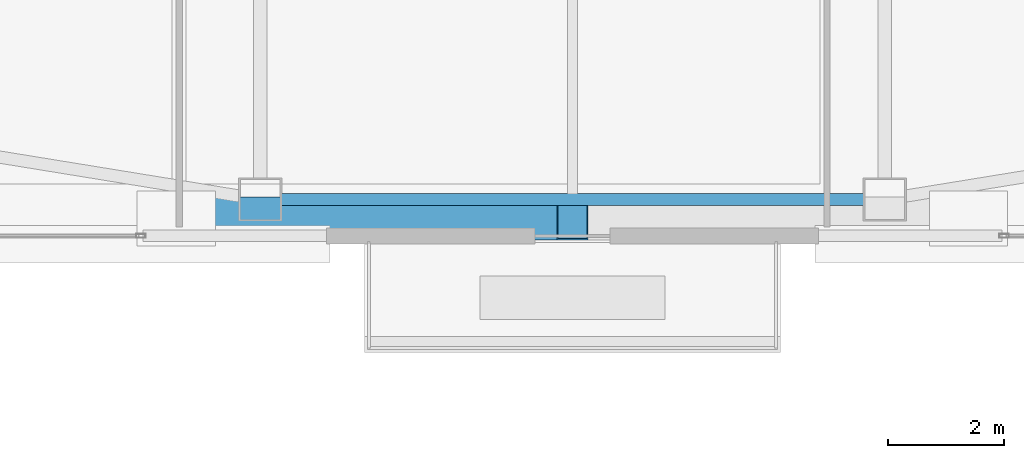
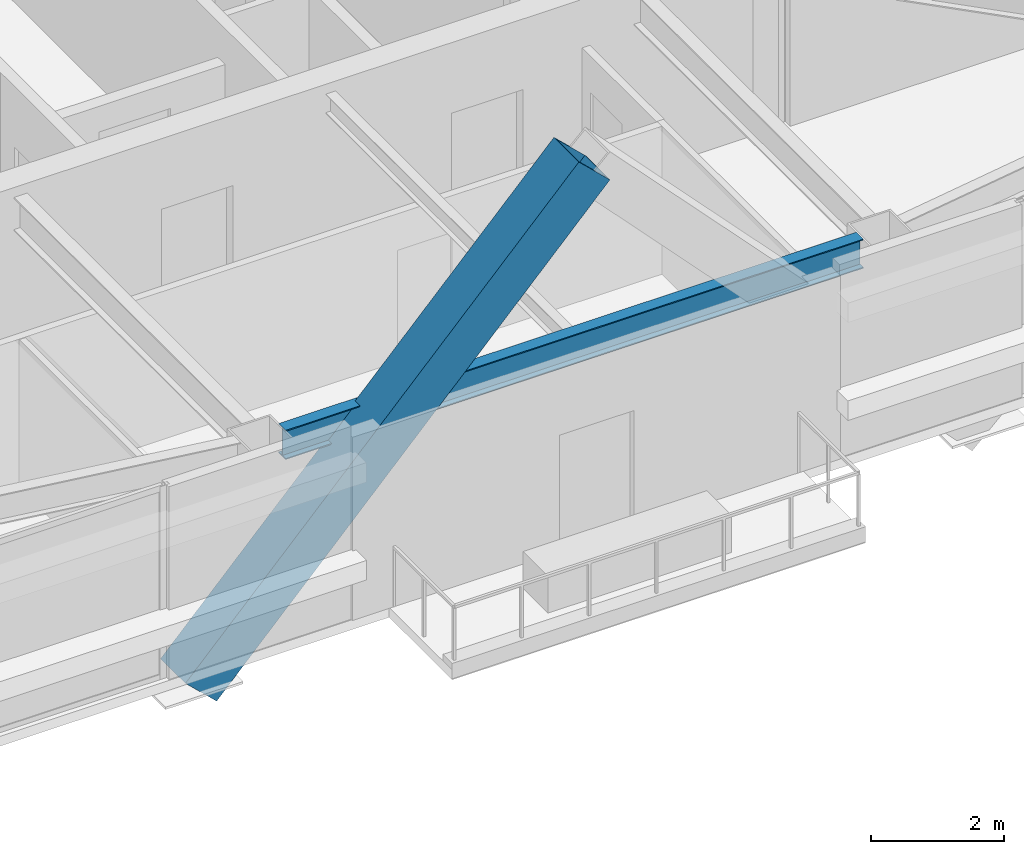
# One storey, part 4 of 39: 1 beam, 1 member.
"""IFC4 building model written with IfcOpenShell, lengths in metres."""

import ifcopenshell
import ifcopenshell.guid

model = None  # the IFC model being written
_history = None  # IfcOwnerHistory: only IFC2X3 demands one
_inside = {}  # id of a spatial element -> (the spatial element, [elements in it])
_under = {}  # id of a project, library or spatial element -> (it, [spatial elements below it])
_declared = {}  # id of a project -> (the project, [libraries it declares])
_typed = {}  # id of a type object -> (the type object, [elements of that type])
_made_of = {}  # id of a material, layer set ... -> (it, [elements and type objects made of it])


def new_model(schema):
    """Start an empty IFC model of exactly this schema.

    Asked for "IFC4X3", IfcOpenShell would pick the latest addendum, in which some entities
    have other attributes; the version numbers below select the first issue.
    IFC2X3 requires an IfcOwnerHistory on every rooted entity: one is made here for all.
    """
    global model, _history
    if schema == "IFC4X3":
        model = ifcopenshell.file(schema_version=(4, 3, 0, 0))
    else:
        model = ifcopenshell.file(schema=schema)
    _inside.clear()
    _under.clear()
    _declared.clear()
    _typed.clear()
    _made_of.clear()
    _history = None
    if model.schema == "IFC2X3":
        org = make("IfcOrganization", Name="unknown")
        user = make(
            "IfcPersonAndOrganization",
            ThePerson=make("IfcPerson", FamilyName="unknown"),
            TheOrganization=org,
        )
        app = make(
            "IfcApplication",
            ApplicationDeveloper=org,
            Version="unknown",
            ApplicationFullName="unknown",
            ApplicationIdentifier="unknown",
        )
        _history = make(
            "IfcOwnerHistory",
            OwningUser=user,
            OwningApplication=app,
            ChangeAction="ADDED",
            CreationDate=0,
        )
    return model


def make(cls, **values):
    """One entity of the class cls with the attributes given. An attribute that is None is left unset."""
    return model.create_entity(
        cls, **{name: value for name, value in values.items() if value is not None}
    )


def rooted(cls, **values):
    """An entity with a GlobalId (a new one), such as an element, a storey or a relation."""
    return make(cls, GlobalId=ifcopenshell.guid.new(), OwnerHistory=_history, **values)


def si_unit(unit_type, name, prefix=None):
    """IfcSIUnit, for example si_unit("LENGTHUNIT", "METRE", prefix="MILLI")."""
    return make("IfcSIUnit", UnitType=unit_type, Prefix=prefix, Name=name)


def assignment(units):
    """IfcUnitAssignment: the units of a project."""
    return None if units is None else make("IfcUnitAssignment", Units=units)


def point(xyz):
    """IfcCartesianPoint."""
    return None if xyz is None else make("IfcCartesianPoint", Coordinates=xyz)


def direction(xyz):
    """IfcDirection."""
    return None if xyz is None else make("IfcDirection", DirectionRatios=xyz)


def frame(location, z_axis=None, x_axis=None):
    """IfcAxis2Placement3D, a coordinate frame: its origin and axes. An axis left out is left unset."""
    return make(
        "IfcAxis2Placement3D",
        Location=point(location),
        Axis=direction(z_axis),
        RefDirection=direction(x_axis),
    )


def frame_2d(location, x_axis=None):
    """IfcAxis2Placement2D, a coordinate frame in the plane: its origin and x axis."""
    return make(
        "IfcAxis2Placement2D", Location=point(location), RefDirection=direction(x_axis)
    )


def origin():
    """The frame at (0, 0, 0) with its axes left unset."""
    return frame((0.0, 0.0, 0.0))


def origin_2d():
    """The frame at (0, 0) in the plane with its x axis left unset."""
    return frame_2d((0.0, 0.0))


def place(relative_to, where):
    """IfcLocalPlacement: puts the frame where relative to a parent placement (None: the world)."""
    return make(
        "IfcLocalPlacement", PlacementRelTo=relative_to, RelativePlacement=where
    )


def context(
    kind, dimensions, precision=None, world=None, true_north=None, identifier=None
):
    """IfcGeometricRepresentationContext, for example the 3D "Model" context."""
    return make(
        "IfcGeometricRepresentationContext",
        ContextIdentifier=identifier,
        ContextType=kind,
        CoordinateSpaceDimension=dimensions,
        Precision=precision,
        WorldCoordinateSystem=world,
        TrueNorth=true_north,
    )


def subcontext(parent, identifier, kind, view, scale=None):
    """IfcGeometricRepresentationSubContext, for example "Body" below "Model"."""
    return make(
        "IfcGeometricRepresentationSubContext",
        ContextIdentifier=identifier,
        ContextType=kind,
        ParentContext=parent,
        TargetScale=scale,
        TargetView=view,
    )


def project(units=None, contexts=None):
    """IfcProject with its units and contexts."""
    return rooted(
        "IfcProject",
        Name="project",
        RepresentationContexts=contexts,
        UnitsInContext=assignment(units),
    )


def spatial(cls, under=None, at=None, **own):
    """A site, building, storey or space (cls), placed at a placement, below another one or the project."""
    s = rooted(cls, ObjectPlacement=at, **own)
    if under is not None:
        _under.setdefault(under.id(), (under, []))[1].append(s)
    return s


def profile(cls, at=None, kind="AREA", **sizes):
    """A parametric profile (cls). Its sizes go by their IFC names, for example OverallWidth=200.0."""
    return make(cls, ProfileType=kind, Position=at, **sizes)


def hollow_rectangle(**sizes):
    """IfcRectangleHollowProfileDef."""
    return profile("IfcRectangleHollowProfileDef", **sizes)


def i_section(**sizes):
    """IfcIShapeProfileDef."""
    return profile("IfcIShapeProfileDef", **sizes)


def extrude(swept, where, along, depth):
    """IfcExtrudedAreaSolid: the profile swept, set in the frame where, extruded along a direction by depth."""
    return make(
        "IfcExtrudedAreaSolid",
        SweptArea=swept,
        Position=where,
        ExtrudedDirection=direction(along),
        Depth=depth,
    )


def shape(context_of_items, identifier, shape_type, items):
    """IfcShapeRepresentation: the items that make up one representation, for example the "Body"."""
    return make(
        "IfcShapeRepresentation",
        ContextOfItems=context_of_items,
        RepresentationIdentifier=identifier,
        RepresentationType=shape_type,
        Items=items,
    )


def material(Name=None, Category=None):
    """IfcMaterial."""
    return make("IfcMaterial", Name=Name, Category=Category)


def material_profile(
    of_material, cross_section, Name=None, Category=None, Priority=None
):
    """IfcMaterialProfile: a cross section and its material."""
    return make(
        "IfcMaterialProfile",
        Name=Name,
        Material=of_material,
        Profile=cross_section,
        Priority=Priority,
        Category=Category,
    )


def profile_set(profiles, Name=None, composite=None):
    """IfcMaterialProfileSet."""
    return make(
        "IfcMaterialProfileSet",
        Name=Name,
        MaterialProfiles=profiles,
        CompositeProfile=composite,
    )


def made_of(thing, what):
    """Note that an element or type object is made of a material, layer set ...; save() writes the relation."""
    if what is not None:
        _made_of.setdefault(what.id(), (what, []))[1].append(thing)
    return thing


def type_object(cls, material=None, **own):
    """A type object (cls), such as IfcWallType, which elements share."""
    return made_of(rooted(cls, **own), material)


def element(
    cls,
    number,
    at=None,
    inside=None,
    cuts=None,
    type_object=None,
    material=None,
    context=None,
    identifier="Body",
    shape_type=None,
    held_by="IfcProductDefinitionShape",
    body=None,
    shapes=None,
    **own,
):
    """One element of the class cls, such as IfcWall. Its Tag is "e" and its number.

    at: its placement. inside: the storey or other place that contains it. cuts: it is an
    opening in that element (IfcRelVoidsElement). A single representation is given by context,
    identifier, shape_type and body (its items); several are given by shapes. held_by: the class
    of the entity that holds the representations. save() writes the other relations.
    """
    e = rooted(cls, Tag="e%d" % number, ObjectPlacement=at, **own)
    if body is not None:
        shapes = [shape(context, identifier, shape_type, body)]
    if shapes is not None:
        e.Representation = make(held_by, Representations=shapes)
    if inside is not None:
        _inside.setdefault(inside.id(), (inside, []))[1].append(e)
    if cuts is not None:
        rooted(
            "IfcRelVoidsElement", RelatingBuildingElement=cuts, RelatedOpeningElement=e
        )
    if type_object is not None:
        _typed.setdefault(type_object.id(), (type_object, []))[1].append(e)
    return made_of(e, material)


def aggregate(whole, parts):
    """IfcRelAggregates: a whole, such as a stair, and the parts it consists of."""
    return rooted("IfcRelAggregates", RelatingObject=whole, RelatedObjects=parts)


def save(model, path):
    """Write the relations noted so far, then the file.

    IfcRelAggregates (storeys below a building ...), IfcRelContainedInSpatialStructure (elements
    in a storey), IfcRelDefinesByType, IfcRelAssociatesMaterial and IfcRelDeclares: one each for
    every whole, place, type object, material and project.
    """
    for whole, parts in _under.values():
        aggregate(whole, parts)
    for where, things in _inside.values():
        rooted(
            "IfcRelContainedInSpatialStructure",
            RelatedElements=things,
            RelatingStructure=where,
        )
    for kind, things in _typed.values():
        rooted("IfcRelDefinesByType", RelatedObjects=things, RelatingType=kind)
    for what, things in _made_of.values():
        rooted("IfcRelAssociatesMaterial", RelatedObjects=things, RelatingMaterial=what)
    for by, libraries in _declared.values():
        rooted("IfcRelDeclares", RelatingContext=by, RelatedDefinitions=libraries)
    model.write(path)


model = new_model("IFC4")

# Units and contexts
model_context = context("Model", 3, precision=1e-05, world=origin(), true_north=direction((0.0, 1.0)))
body_context = subcontext(model_context, "Body", "Model", "MODEL_VIEW")
ifc_project = project(units=[si_unit("LENGTHUNIT", "METRE"), si_unit("AREAUNIT", "SQUARE_METRE"), si_unit("VOLUMEUNIT", "CUBIC_METRE"), si_unit("PLANEANGLEUNIT", "RADIAN"), si_unit("MASSUNIT", "GRAM", prefix="KILO")], contexts=[model_context])

# Site, building, storey
site_placement = place(None, origin())
site = spatial("IfcSite", under=ifc_project, at=site_placement, CompositionType="ELEMENT")
building_placement = place(site_placement, origin())
building = spatial("IfcBuilding", under=site, at=building_placement, Name="Tashvorn Skyway Center", CompositionType="ELEMENT")
storey_placement = place(building_placement, frame((0.0, 0.0, 239.699951171875)))
storey = spatial("IfcBuildingStorey", under=building, at=storey_placement, Name="L65", CompositionType="ELEMENT", Elevation=239.699951171875)

# Beam
ifc_material_1 = material(Name="Steel ASTM A992 Grade 50", Category="steel")
ifc_material_profile_1 = material_profile(ifc_material_1, i_section(OverallWidth=0.2109375, OverallDepth=0.5390625, WebThickness=0.01171875, FlangeThickness=0.018798828125, at=origin_2d()), Name="W21X73")
ifc_profile_set_1 = profile_set([ifc_material_profile_1], Name="Steel ASTM A992 Grade 50")
beam_type = type_object("IfcBeamType", Name="BM-SPANDREL-W21X73", PredefinedType="SPANDREL", material=ifc_profile_set_1)
beam_placement = place(storey_placement, frame((36.969970703125, 16.949951171875, 3.1005859375), z_axis=(1.0, 0.0, 0.0), x_axis=(0.0, 1.0, 0.0)))
element("IfcBeam", 1, at=beam_placement, inside=storey, type_object=beam_type, Name="Tower 1 L65 Spandrel Beam 02", PredefinedType="SPANDREL", context=body_context, shape_type="SweptSolid", body=[
    extrude(i_section(OverallWidth=0.2109375, OverallDepth=0.5390625, WebThickness=0.01171875, FlangeThickness=0.018798828125, at=origin_2d()), origin(), (0.0, 0.0, 1.0), 10.06005859375),
])

# Member
ifc_material_2 = material(Name="Steel ASTM A572 Grade 50", Category="steel")
ifc_material_profile_2 = material_profile(ifc_material_2, hollow_rectangle(XDim=0.75, YDim=0.75, WallThickness=0.031982421875, at=origin_2d()), Name="BOX750x750x32")
ifc_profile_set_2 = profile_set([ifc_material_profile_2], Name="Steel ASTM A572 Grade 50")
member_type = type_object("IfcMemberType", Name="MEM-MB-750", PredefinedType="BRACE", material=ifc_profile_set_2)
member_placement = place(storey_placement, frame((35.14990234375, 16.6201171875, -0.449951171875), z_axis=(0.689285797105, 0.0, 0.724489537474), x_axis=(0.0, 1.0, 0.0)))
element("IfcMember", 2, at=member_placement, inside=storey, type_object=member_type, Name="Tower 1 Zone 6 S Chevron Mega-Brace L2", PredefinedType="BRACE", context=body_context, shape_type="SweptSolid", body=[
    extrude(hollow_rectangle(XDim=0.75, YDim=0.75, WallThickness=0.031982421875, at=origin_2d()), origin(), (0.0, 0.0, 1.0), 9.93798828125),
])

save(model, "model.ifc")
